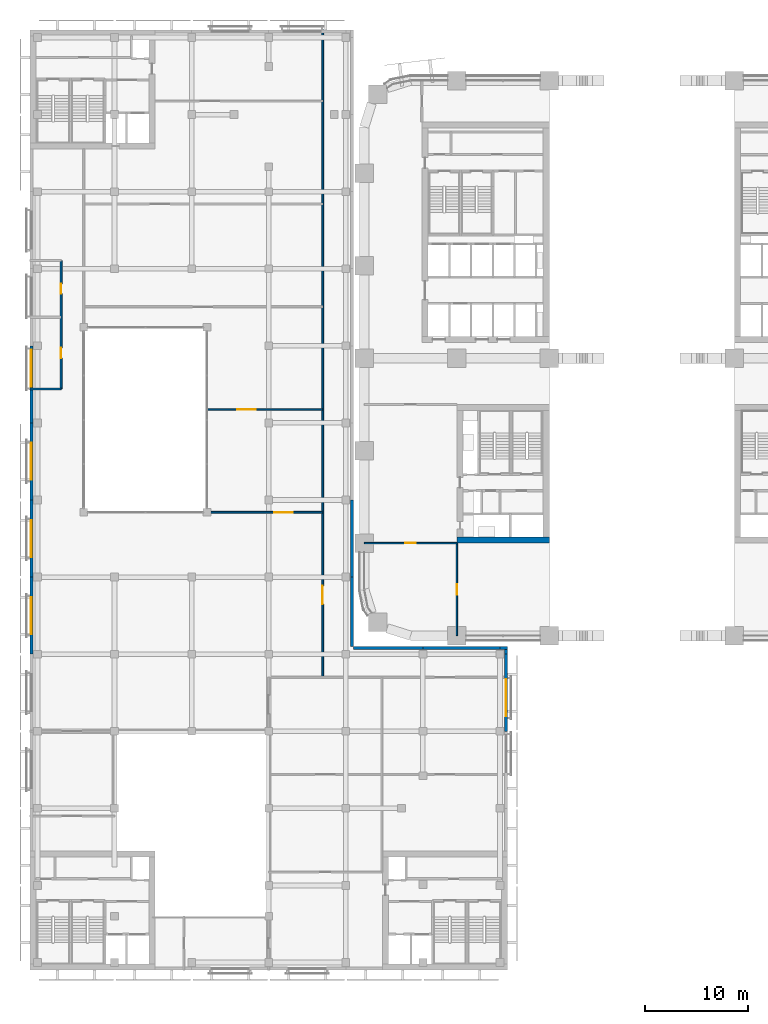
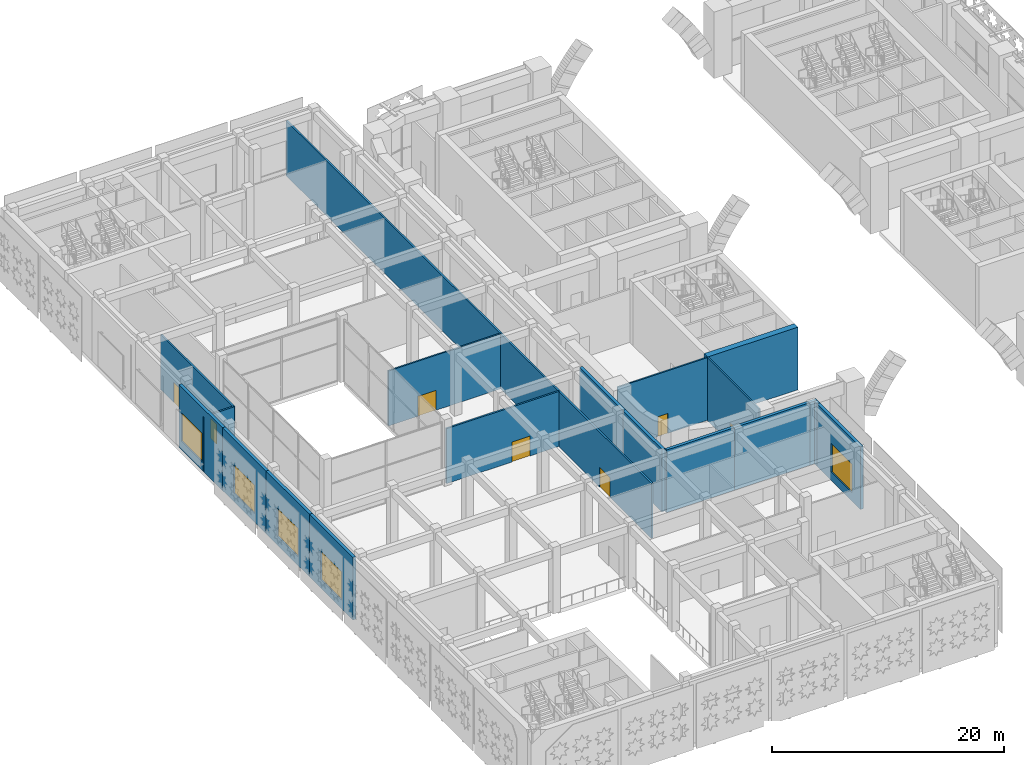
# One storey, part 17 of 42: 19 walls, 7 doors, 5 windows, 12 openings.
"""IFC4 building model written with IfcOpenShell, lengths in metres."""

from ifc_helpers import new_model, si_unit, direction, frame, frame_2d, origin, place, context, subcontext, project, spatial, rectangle, extrude, material, layer, layer_set, type_object, element, fill, save


model = new_model("IFC4")

# Units and contexts
model_context = context("Model", 3, precision=1e-05, world=origin(), true_north=direction((0.0, 1.0)))
body_context = subcontext(model_context, "Body", "Model", "MODEL_VIEW")
ifc_project = project(units=[si_unit("LENGTHUNIT", "METRE"), si_unit("AREAUNIT", "SQUARE_METRE"), si_unit("VOLUMEUNIT", "CUBIC_METRE"), si_unit("PLANEANGLEUNIT", "RADIAN"), si_unit("MASSUNIT", "GRAM", prefix="KILO")], contexts=[model_context])

# Site, building, storey
site_placement = place(None, origin())
site = spatial("IfcSite", under=ifc_project, at=site_placement, CompositionType="ELEMENT")
building_placement = place(site_placement, origin())
building = spatial("IfcBuilding", under=site, at=building_placement, Name="Tessera Arch", CompositionType="ELEMENT")
storey_placement = place(building_placement, frame((0.0, 0.0, 14.0)))
storey = spatial("IfcBuildingStorey", under=building, at=storey_placement, Name="L02", CompositionType="ELEMENT", Elevation=14.0)

# Wall
ifc_material_1 = material(Name="Concrete C70/85", Category="concrete")
ifc_layer_1 = layer(ifc_material_1, 0.60009765625)
ifc_layer_set_1 = layer_set([ifc_layer_1], Name="Core shell wall 600 C70-85")
wall_type_1 = type_object("IfcWallType", Name="Core shell wall 600 C70-85", PredefinedType="SHEAR", material=ifc_layer_set_1)
wall_1_placement = place(storey_placement, frame((9.0, 9.300048828125, 0.0), z_axis=(0.0, 0.0, 1.0), x_axis=(1.0, 0.0, 0.0)))
element("IfcWall", 1, at=wall_1_placement, inside=storey, type_object=wall_type_1, Name="L02 C4 core wall S", PredefinedType="SHEAR", context=body_context, shape_type="SweptSolid", body=[
    extrude(rectangle(XDim=9.0, YDim=0.60009765625, at=frame_2d((4.5, 0.0))), origin(), (0.0, 0.0, 1.0), 6.590087890625),
])

# Wall, opening, door
ifc_material_2 = material(Name="Gypsum board on deep steel stud with mineral wool", Category="steel")
ifc_layer_2 = layer(ifc_material_2, 0.175048828125)
ifc_layer_set_2 = layer_set([ifc_layer_2], Name="Corridor wall 175 EI 60")
wall_type_2 = type_object("IfcWallType", Name="Corridor wall 175 EI 60", PredefinedType="PARTITIONING", material=ifc_layer_set_2)
wall_2_placement = place(storey_placement, frame((-15.300048828125, 12.0, 0.0), z_axis=(0.0, 0.0, 1.0), x_axis=(1.0, 0.0, 0.0)))
wall_2 = element("IfcWall", 2, at=wall_2_placement, inside=storey, type_object=wall_type_2, Name="L02 partition 3", PredefinedType="PARTITIONING", context=body_context, shape_type="SweptSolid", body=[
    extrude(rectangle(XDim=11.25, YDim=0.175048828125, at=frame_2d((5.625, 0.0))), origin(), (0.0, 0.0, 1.0), 5.7900390625),
])
opening_1_placement = place(wall_2_placement, frame((6.514892578125, 0.0, 0.0)))
opening_1 = element("IfcOpeningElement", 3, at=opening_1_placement, cuts=wall_2, Name="Opening L02-D009", PredefinedType="OPENING", context=body_context, shape_type="SweptSolid", body=[
    extrude(rectangle(XDim=1.800048828125, YDim=2.10009765625, at=frame_2d((0.89990234375, 1.050048828125))), frame((0.0, 0.097412109375, 0.0), z_axis=(0.0, -1.0, 0.0), x_axis=(1.0, 0.0, 0.0)), (0.0, 0.0, 1.0), 0.195068359375),
])
ifc_material_3 = material(Name="Timber door leaf", Category="wood")
door_type_1 = type_object("IfcDoorType", Name="Double door 1800 x 2100", OperationType="DOUBLE_DOOR_SINGLE_SWING", PredefinedType="DOOR", material=ifc_material_3)
door_1_placement = place(opening_1_placement, origin())
door_1 = element("IfcDoor", 4, at=door_1_placement, inside=storey, type_object=door_type_1, Name="L02 door D009 type D13", OperationType="DOUBLE_DOOR_SINGLE_SWING", OverallHeight=2.10009765625, OverallWidth=1.800048828125, PredefinedType="DOOR", context=body_context, shape_type="SweptSolid", body=[
    extrude(rectangle(XDim=1.800048828125, YDim=2.10009765625, at=frame_2d((0.89990234375, 1.050048828125))), frame((0.0, 0.02490234375, 0.0), z_axis=(0.0, -1.0, 0.0), x_axis=(1.0, 0.0, 0.0)), (0.0, 0.0, 1.0), 0.050048828125),
])
fill(opening_1, door_1)

# Wall
wall_3_placement = place(storey_placement, frame((-32.550048828125, 24.0, 0.0), z_axis=(0.0, 0.0, 1.0), x_axis=(1.0, 0.0, 0.0)))
element("IfcWall", 5, at=wall_3_placement, inside=storey, type_object=wall_type_2, Name="L02 partition 6", PredefinedType="PARTITIONING", context=body_context, shape_type="SweptSolid", body=[
    extrude(rectangle(XDim=3.050048828125, YDim=0.175048828125, at=frame_2d((1.52490234375, 0.0))), origin(), (0.0, 0.0, 1.0), 5.7900390625),
])

# Wall, openings, doors
wall_4_placement = place(storey_placement, frame((-29.5, 24.0, 0.0), z_axis=(0.0, 0.0, 1.0), x_axis=(0.0, 1.0, 0.0)))
wall_4 = element("IfcWall", 6, at=wall_4_placement, inside=storey, type_object=wall_type_2, Name="L02 partition 10", PredefinedType="PARTITIONING", context=body_context, shape_type="SweptSolid", body=[
    extrude(rectangle(XDim=12.5, YDim=0.175048828125, at=frame_2d((6.25, 0.0))), origin(), (0.0, 0.0, 1.0), 5.7900390625),
])
opening_2_placement = place(wall_4_placement, frame((3.0, 0.0, 0.0)))
opening_2 = element("IfcOpeningElement", 7, at=opening_2_placement, cuts=wall_4, Name="Opening L02-D020", PredefinedType="OPENING", context=body_context, shape_type="SweptSolid", body=[
    extrude(rectangle(XDim=1.0, YDim=2.10009765625, at=frame_2d((0.5, 1.050048828125))), frame((0.0, 0.097412109375, 0.0), z_axis=(0.0, -1.0, 0.0), x_axis=(1.0, 0.0, 0.0)), (0.0, 0.0, 1.0), 0.195068359375),
])
opening_3_placement = place(wall_4_placement, frame((9.25, 0.0, 0.0)))
opening_3 = element("IfcOpeningElement", 8, at=opening_3_placement, cuts=wall_4, Name="Opening L02-D021", PredefinedType="OPENING", context=body_context, shape_type="SweptSolid", body=[
    extrude(rectangle(XDim=1.0, YDim=2.10009765625, at=frame_2d((0.5, 1.050048828125))), frame((0.0, 0.097412109375, 0.0), z_axis=(0.0, -1.0, 0.0), x_axis=(1.0, 0.0, 0.0)), (0.0, 0.0, 1.0), 0.195068359375),
])
ifc_material_4 = material(Name="Fire-rated door leaf")
door_type_2 = type_object("IfcDoorType", Name="Entrance door FD30S 1000 x 2100", OperationType="SINGLE_SWING_LEFT", PredefinedType="DOOR", material=ifc_material_4)
door_2_placement = place(opening_2_placement, origin())
door_2 = element("IfcDoor", 9, at=door_2_placement, inside=storey, type_object=door_type_2, Name="L02 door D020 type D03", OperationType="SINGLE_SWING_RIGHT", OverallHeight=2.10009765625, OverallWidth=1.0, PredefinedType="DOOR", context=body_context, shape_type="SweptSolid", body=[
    extrude(rectangle(XDim=1.0, YDim=2.10009765625, at=frame_2d((0.5, 1.050048828125))), frame((0.0, 0.02490234375, 0.0), z_axis=(0.0, -1.0, 0.0), x_axis=(1.0, 0.0, 0.0)), (0.0, 0.0, 1.0), 0.050048828125),
])
fill(opening_2, door_2)
door_3_placement = place(opening_3_placement, origin())
door_3 = element("IfcDoor", 10, at=door_3_placement, inside=storey, type_object=door_type_2, Name="L02 door D021 type D03", OperationType="SINGLE_SWING_RIGHT", OverallHeight=2.10009765625, OverallWidth=1.0, PredefinedType="DOOR", context=body_context, shape_type="SweptSolid", body=[
    extrude(rectangle(XDim=1.0, YDim=2.10009765625, at=frame_2d((0.5, 1.050048828125))), frame((0.0, 0.02490234375, 0.0), z_axis=(0.0, -1.0, 0.0), x_axis=(1.0, 0.0, 0.0)), (0.0, 0.0, 1.0), 0.050048828125),
])
fill(opening_3, door_3)

# Wall, opening, door
wall_5_placement = place(storey_placement, frame((-4.050048828125, -4.050048828125, 0.0), z_axis=(0.0, 0.0, 1.0), x_axis=(0.0, 1.0, 0.0)))
wall_5 = element("IfcWall", 11, at=wall_5_placement, inside=storey, type_object=wall_type_2, Name="L02 partition 13", PredefinedType="PARTITIONING", context=body_context, shape_type="SweptSolid", body=[
    extrude(rectangle(XDim=63.0, YDim=0.175048828125, at=frame_2d((31.5, 0.0))), origin(), (0.0, 0.0, 1.0), 5.7900390625),
])
opening_4_placement = place(wall_5_placement, frame((7.125, 0.0, 0.0)))
opening_4 = element("IfcOpeningElement", 12, at=opening_4_placement, cuts=wall_5, Name="Opening L02-D002", PredefinedType="OPENING", context=body_context, shape_type="SweptSolid", body=[
    extrude(rectangle(XDim=1.800048828125, YDim=2.10009765625, at=frame_2d((0.89990234375, 1.050048828125))), frame((0.0, 0.097412109375, 0.0), z_axis=(0.0, -1.0, 0.0), x_axis=(1.0, 0.0, 0.0)), (0.0, 0.0, 1.0), 0.195068359375),
])
door_4_placement = place(opening_4_placement, origin())
door_4 = element("IfcDoor", 13, at=door_4_placement, inside=storey, type_object=door_type_1, Name="L02 door D002 type D13", OperationType="DOUBLE_DOOR_SINGLE_SWING", OverallHeight=2.10009765625, OverallWidth=1.800048828125, PredefinedType="DOOR", context=body_context, shape_type="SweptSolid", body=[
    extrude(rectangle(XDim=1.800048828125, YDim=2.10009765625, at=frame_2d((0.89990234375, 1.050048828125))), frame((0.0, 0.02490234375, 0.0), z_axis=(0.0, -1.0, 0.0), x_axis=(1.0, 0.0, 0.0)), (0.0, 0.0, 1.0), 0.050048828125),
])
fill(opening_4, door_4)

# Wall, opening, window
ifc_material_5 = material(Name="Aluminium cladding pale metal anodised", Category="aluminium")
ifc_layer_3 = layer(ifc_material_5, 0.300048828125)
ifc_layer_set_3 = layer_set([ifc_layer_3], Name="Museum envelope wall pale metal")
wall_type_3 = type_object("IfcWallType", Name="Museum envelope wall pale metal", PredefinedType="SOLIDWALL", material=ifc_layer_set_3)
wall_6_placement = place(storey_placement, frame((13.800048828125, -9.300048828125, 0.0), z_axis=(0.0, 0.0, 1.0), x_axis=(0.0, 1.0, 0.0)))
wall_6 = element("IfcWall", 14, at=wall_6_placement, inside=storey, type_object=wall_type_3, Name="Museum external wall pale metal mashrabiya pattern", PredefinedType="SOLIDWALL", context=body_context, shape_type="SweptSolid", body=[
    extrude(rectangle(XDim=7.5, YDim=0.300048828125, at=frame_2d((3.75, 0.0))), origin(), (0.0, 0.0, 1.0), 6.590087890625),
])
opening_5_placement = place(wall_6_placement, frame((1.449951171875, 0.0, 0.89990234375)))
opening_5 = element("IfcOpeningElement", 15, at=opening_5_placement, cuts=wall_6, Name="Opening L02-MV29", PredefinedType="OPENING", context=body_context, shape_type="SweptSolid", body=[
    extrude(rectangle(XDim=3.60009765625, YDim=3.0, at=frame_2d((1.800048828125, 1.5))), frame((0.0, 0.159912109375, 0.0), z_axis=(0.0, -1.0, 0.0), x_axis=(1.0, 0.0, 0.0)), (0.0, 0.0, 1.0), 0.320068359375),
])
ifc_material_6 = material(Name="Clear low-e glass in aluminium frame", Category="aluminium")
window_type = type_object("IfcWindowType", Name="Museum window fixed clear glass", PartitioningType="SINGLE_PANEL", PredefinedType="WINDOW", material=ifc_material_6)
window_1_placement = place(opening_5_placement, origin())
window_1 = element("IfcWindow", 16, at=window_1_placement, inside=storey, type_object=window_type, Name="Museum window L02 2-5", OverallHeight=3.0, OverallWidth=3.60009765625, PartitioningType="SINGLE_PANEL", PredefinedType="WINDOW", context=body_context, shape_type="SweptSolid", body=[
    extrude(rectangle(XDim=3.60009765625, YDim=3.0, at=frame_2d((1.800048828125, 1.5))), frame((0.0, 0.030029296875, 0.0), z_axis=(0.0, -1.0, 0.0), x_axis=(1.0, 0.0, 0.0)), (0.0, 0.0, 1.0), 0.06005859375),
])
fill(opening_5, window_1)

# Wall
wall_7_placement = place(storey_placement, frame((13.800048828125, -1.800048828125, 0.0), z_axis=(0.0, 0.0, 1.0), x_axis=(0.0, 1.0, 0.0)))
element("IfcWall", 17, at=wall_7_placement, inside=storey, type_object=wall_type_3, Name="Museum external wall pale metal mashrabiya pattern", PredefinedType="SOLIDWALL", context=body_context, shape_type="SweptSolid", body=[
    extrude(rectangle(XDim=0.449951171875, YDim=0.300048828125, at=frame_2d((0.22509765625, 0.0))), origin(), (0.0, 0.0, 1.0), 6.590087890625),
])

# Wall, opening, window
wall_8_placement = place(storey_placement, frame((-32.39990234375, 28.199951171875, 0.0), z_axis=(0.0, 0.0, 1.0), x_axis=(0.0, -1.0, 0.0)))
wall_8 = element("IfcWall", 18, at=wall_8_placement, inside=storey, type_object=wall_type_3, Name="Museum external wall pale metal mashrabiya pattern", PredefinedType="SOLIDWALL", context=body_context, shape_type="SweptSolid", body=[
    extrude(rectangle(XDim=7.5, YDim=0.300048828125, at=frame_2d((3.75, 0.0))), origin(), (0.0, 0.0, 1.0), 6.590087890625),
])
opening_6_placement = place(wall_8_placement, frame((0.39990234375, 0.0, 0.89990234375)))
opening_6 = element("IfcOpeningElement", 19, at=opening_6_placement, cuts=wall_8, Name="Opening L02-MV34", PredefinedType="OPENING", context=body_context, shape_type="SweptSolid", body=[
    extrude(rectangle(XDim=3.60009765625, YDim=3.0, at=frame_2d((1.800048828125, 1.5))), frame((0.0, 0.159912109375, 0.0), z_axis=(0.0, -1.0, 0.0), x_axis=(1.0, 0.0, 0.0)), (0.0, 0.0, 1.0), 0.320068359375),
])
window_2_placement = place(opening_6_placement, origin())
window_2 = element("IfcWindow", 20, at=window_2_placement, inside=storey, type_object=window_type, Name="Museum window L02 6-6", OverallHeight=3.0, OverallWidth=3.60009765625, PartitioningType="SINGLE_PANEL", PredefinedType="WINDOW", context=body_context, shape_type="SweptSolid", body=[
    extrude(rectangle(XDim=3.60009765625, YDim=3.0, at=frame_2d((1.800048828125, 1.5))), frame((0.0, 0.030029296875, 0.0), z_axis=(0.0, -1.0, 0.0), x_axis=(1.0, 0.0, 0.0)), (0.0, 0.0, 1.0), 0.06005859375),
])
fill(opening_6, window_2)

wall_9_placement = place(storey_placement, frame((-32.39990234375, 20.699951171875, 0.0), z_axis=(0.0, 0.0, 1.0), x_axis=(0.0, -1.0, 0.0)))
wall_9 = element("IfcWall", 21, at=wall_9_placement, inside=storey, type_object=wall_type_3, Name="Museum external wall pale metal mashrabiya pattern", PredefinedType="SOLIDWALL", context=body_context, shape_type="SweptSolid", body=[
    extrude(rectangle(XDim=7.5, YDim=0.300048828125, at=frame_2d((3.75, 0.0))), origin(), (0.0, 0.0, 1.0), 6.590087890625),
])
opening_7_placement = place(wall_9_placement, frame((1.949951171875, 0.0, 0.89990234375)))
opening_7 = element("IfcOpeningElement", 22, at=opening_7_placement, cuts=wall_9, Name="Opening L02-MV35", PredefinedType="OPENING", context=body_context, shape_type="SweptSolid", body=[
    extrude(rectangle(XDim=3.60009765625, YDim=3.0, at=frame_2d((1.800048828125, 1.5))), frame((0.0, 0.159912109375, 0.0), z_axis=(0.0, -1.0, 0.0), x_axis=(1.0, 0.0, 0.0)), (0.0, 0.0, 1.0), 0.320068359375),
])
window_3_placement = place(opening_7_placement, origin())
window_3 = element("IfcWindow", 23, at=window_3_placement, inside=storey, type_object=window_type, Name="Museum window L02 6-7", OverallHeight=3.0, OverallWidth=3.60009765625, PartitioningType="SINGLE_PANEL", PredefinedType="WINDOW", context=body_context, shape_type="SweptSolid", body=[
    extrude(rectangle(XDim=3.60009765625, YDim=3.0, at=frame_2d((1.800048828125, 1.5))), frame((0.0, 0.030029296875, 0.0), z_axis=(0.0, -1.0, 0.0), x_axis=(1.0, 0.0, 0.0)), (0.0, 0.0, 1.0), 0.06005859375),
])
fill(opening_7, window_3)

wall_10_placement = place(storey_placement, frame((-32.39990234375, 13.199951171875, 0.0), z_axis=(0.0, 0.0, 1.0), x_axis=(0.0, -1.0, 0.0)))
wall_10 = element("IfcWall", 24, at=wall_10_placement, inside=storey, type_object=wall_type_3, Name="Museum external wall pale metal mashrabiya pattern", PredefinedType="SOLIDWALL", context=body_context, shape_type="SweptSolid", body=[
    extrude(rectangle(XDim=7.5, YDim=0.300048828125, at=frame_2d((3.75, 0.0))), origin(), (0.0, 0.0, 1.0), 6.590087890625),
])
opening_8_placement = place(wall_10_placement, frame((1.949951171875, 0.0, 0.89990234375)))
opening_8 = element("IfcOpeningElement", 25, at=opening_8_placement, cuts=wall_10, Name="Opening L02-MV36", PredefinedType="OPENING", context=body_context, shape_type="SweptSolid", body=[
    extrude(rectangle(XDim=3.60009765625, YDim=3.0, at=frame_2d((1.800048828125, 1.5))), frame((0.0, 0.159912109375, 0.0), z_axis=(0.0, -1.0, 0.0), x_axis=(1.0, 0.0, 0.0)), (0.0, 0.0, 1.0), 0.320068359375),
])
window_4_placement = place(opening_8_placement, origin())
window_4 = element("IfcWindow", 26, at=window_4_placement, inside=storey, type_object=window_type, Name="Museum window L02 6-8", OverallHeight=3.0, OverallWidth=3.60009765625, PartitioningType="SINGLE_PANEL", PredefinedType="WINDOW", context=body_context, shape_type="SweptSolid", body=[
    extrude(rectangle(XDim=3.60009765625, YDim=3.0, at=frame_2d((1.800048828125, 1.5))), frame((0.0, 0.030029296875, 0.0), z_axis=(0.0, -1.0, 0.0), x_axis=(1.0, 0.0, 0.0)), (0.0, 0.0, 1.0), 0.06005859375),
])
fill(opening_8, window_4)

wall_11_placement = place(storey_placement, frame((-32.39990234375, 5.699951171875, 0.0), z_axis=(0.0, 0.0, 1.0), x_axis=(0.0, -1.0, 0.0)))
wall_11 = element("IfcWall", 27, at=wall_11_placement, inside=storey, type_object=wall_type_3, Name="Museum external wall pale metal mashrabiya pattern", PredefinedType="SOLIDWALL", context=body_context, shape_type="SweptSolid", body=[
    extrude(rectangle(XDim=7.5, YDim=0.300048828125, at=frame_2d((3.75, 0.0))), origin(), (0.0, 0.0, 1.0), 6.590087890625),
])
opening_9_placement = place(wall_11_placement, frame((1.949951171875, 0.0, 0.89990234375)))
opening_9 = element("IfcOpeningElement", 28, at=opening_9_placement, cuts=wall_11, Name="Opening L02-MV37", PredefinedType="OPENING", context=body_context, shape_type="SweptSolid", body=[
    extrude(rectangle(XDim=3.60009765625, YDim=3.0, at=frame_2d((1.800048828125, 1.5))), frame((0.0, 0.159912109375, 0.0), z_axis=(0.0, -1.0, 0.0), x_axis=(1.0, 0.0, 0.0)), (0.0, 0.0, 1.0), 0.320068359375),
])
window_5_placement = place(opening_9_placement, origin())
window_5 = element("IfcWindow", 29, at=window_5_placement, inside=storey, type_object=window_type, Name="Museum window L02 6-9", OverallHeight=3.0, OverallWidth=3.60009765625, PartitioningType="SINGLE_PANEL", PredefinedType="WINDOW", context=body_context, shape_type="SweptSolid", body=[
    extrude(rectangle(XDim=3.60009765625, YDim=3.0, at=frame_2d((1.800048828125, 1.5))), frame((0.0, 0.030029296875, 0.0), z_axis=(0.0, -1.0, 0.0), x_axis=(1.0, 0.0, 0.0)), (0.0, 0.0, 1.0), 0.06005859375),
])
fill(opening_9, window_5)

# Walls
ifc_material_7 = material(Name="Concrete C40/50", Category="concrete")
ifc_layer_4 = layer(ifc_material_7, 0.300048828125)
ifc_layer_set_4 = layer_set([ifc_layer_4], Name="Museum fire wall")
wall_type_4 = type_object("IfcWallType", Name="Museum fire wall", PredefinedType="SOLIDWALL", material=ifc_layer_set_4)
wall_12_placement = place(storey_placement, frame((13.949951171875, -1.199951171875, 0.0), z_axis=(0.0, 0.0, 1.0), x_axis=(-1.0, 0.0, 0.0)))
element("IfcWall", 30, at=wall_12_placement, inside=storey, type_object=wall_type_4, Name="Museum fire wall at the movement joint", PredefinedType="SOLIDWALL", context=body_context, shape_type="SweptSolid", body=[
    extrude(rectangle(XDim=0.75, YDim=0.300048828125, at=frame_2d((0.375, 0.0))), origin(), (0.0, 0.0, 1.0), 6.590087890625),
])
wall_13_placement = place(storey_placement, frame((13.199951171875, -1.199951171875, 0.0), z_axis=(0.0, 0.0, 1.0), x_axis=(-1.0, 0.0, 0.0)))
element("IfcWall", 31, at=wall_13_placement, inside=storey, type_object=wall_type_4, Name="Museum fire wall at the movement joint", PredefinedType="SOLIDWALL", context=body_context, shape_type="SweptSolid", body=[
    extrude(rectangle(XDim=7.5, YDim=0.300048828125, at=frame_2d((3.75, 0.0))), origin(), (0.0, 0.0, 1.0), 6.590087890625),
])
for number, where, z_axis, x_axis, name in (
    (32, (5.699951171875, -1.199951171875, 0.0), (0.0, 0.0, 1.0), (-1.0, 0.0, 0.0), "Museum fire wall at the movement joint"),
    (33, (-1.199951171875, -1.050048828125, 0.0), (0.0, 0.0, 1.0), (0.0, 1.0, 0.0), "Museum fire wall at the movement joint"),
):
    element("IfcWall", number, at=place(storey_placement, frame(where, z_axis=z_axis, x_axis=x_axis)), inside=storey, type_object=wall_type_4, Name=name, PredefinedType="SOLIDWALL", context=body_context, shape_type="SweptSolid", body=[
        extrude(rectangle(XDim=6.75, YDim=0.300048828125, at=frame_2d((3.375, 0.0))), origin(), (0.0, 0.0, 1.0), 6.590087890625),
    ])
wall_14_placement = place(storey_placement, frame((-1.199951171875, 5.699951171875, 0.0), z_axis=(0.0, 0.0, 1.0), x_axis=(0.0, 1.0, 0.0)))
element("IfcWall", 34, at=wall_14_placement, inside=storey, type_object=wall_type_4, Name="Museum fire wall at the movement joint", PredefinedType="SOLIDWALL", context=body_context, shape_type="SweptSolid", body=[
    extrude(rectangle(XDim=7.5, YDim=0.300048828125, at=frame_2d((3.75, 0.0))), origin(), (0.0, 0.0, 1.0), 6.590087890625),
])

# Wall, opening, door
ifc_material_8 = material(Name="Gypsum board on steel stud", Category="steel")
ifc_layer_5 = layer(ifc_material_8, 0.14990234375)
ifc_layer_set_5 = layer_set([ifc_layer_5], Name="Partition 150")
wall_type_5 = type_object("IfcWallType", Name="Partition 150", PredefinedType="PARTITIONING", material=ifc_layer_set_5)
wall_15_placement = place(storey_placement, frame((-15.300048828125, 22.0, 0.0), z_axis=(0.0, 0.0, 1.0), x_axis=(1.0, 0.0, 0.0)))
wall_15 = element("IfcWall", 35, at=wall_15_placement, inside=storey, type_object=wall_type_5, Name="L02 partition 19", PredefinedType="PARTITIONING", context=body_context, shape_type="SweptSolid", body=[
    extrude(rectangle(XDim=11.25, YDim=0.14990234375, at=frame_2d((5.625, 0.0))), origin(), (0.0, 0.0, 1.0), 5.7900390625),
])
opening_10_placement = place(wall_15_placement, frame((2.93505859375, 0.0, 0.0)))
opening_10 = element("IfcOpeningElement", 36, at=opening_10_placement, cuts=wall_15, Name="Opening L02-D008", PredefinedType="OPENING", context=body_context, shape_type="SweptSolid", body=[
    extrude(rectangle(XDim=1.800048828125, YDim=2.10009765625, at=frame_2d((0.89990234375, 1.050048828125))), frame((0.0, 0.0849609375, 0.0), z_axis=(0.0, -1.0, 0.0), x_axis=(1.0, 0.0, 0.0)), (0.0, 0.0, 1.0), 0.169921875),
])
door_5_placement = place(opening_10_placement, origin())
door_5 = element("IfcDoor", 37, at=door_5_placement, inside=storey, type_object=door_type_1, Name="L02 door D008 type D13", OperationType="DOUBLE_DOOR_SINGLE_SWING", OverallHeight=2.10009765625, OverallWidth=1.800048828125, PredefinedType="DOOR", context=body_context, shape_type="SweptSolid", body=[
    extrude(rectangle(XDim=1.800048828125, YDim=2.10009765625, at=frame_2d((0.89990234375, 1.050048828125))), frame((0.0, 0.02490234375, 0.0), z_axis=(0.0, -1.0, 0.0), x_axis=(1.0, 0.0, 0.0)), (0.0, 0.0, 1.0), 0.050048828125),
])
fill(opening_10, door_5)

ifc_material_9 = material(Name="Gypsum board on steel stud", Category="steel")
ifc_layer_6 = layer(ifc_material_9, 0.14990234375)
ifc_layer_set_6 = layer_set([ifc_layer_6], Name="Partition 150 EI 30")
wall_type_6 = type_object("IfcWallType", Name="Partition 150 EI 30", PredefinedType="PARTITIONING", material=ifc_layer_set_6)
wall_16_placement = place(storey_placement, frame((0.0, 9.0, 0.0), z_axis=(0.0, 0.0, 1.0), x_axis=(1.0, 0.0, 0.0)))
wall_16 = element("IfcWall", 38, at=wall_16_placement, inside=storey, type_object=wall_type_6, Name="L02 partition 25", PredefinedType="PARTITIONING", context=body_context, shape_type="SweptSolid", body=[
    extrude(rectangle(XDim=9.0, YDim=0.14990234375, at=frame_2d((4.5, 0.0))), origin(), (0.0, 0.0, 1.0), 6.590087890625),
])
opening_11_placement = place(wall_16_placement, frame((4.0, 0.0, 0.0)))
opening_11 = element("IfcOpeningElement", 39, at=opening_11_placement, cuts=wall_16, Name="Opening L02-D025", PredefinedType="OPENING", context=body_context, shape_type="SweptSolid", body=[
    extrude(rectangle(XDim=1.0, YDim=2.10009765625, at=frame_2d((0.5, 1.050048828125))), frame((0.0, 0.0849609375, 0.0), z_axis=(0.0, -1.0, 0.0), x_axis=(1.0, 0.0, 0.0)), (0.0, 0.0, 1.0), 0.169921875),
])
door_6_placement = place(opening_11_placement, origin())
door_6 = element("IfcDoor", 40, at=door_6_placement, inside=storey, type_object=door_type_2, Name="L02 door D025 type D03", OperationType="SINGLE_SWING_LEFT", OverallHeight=2.10009765625, OverallWidth=1.0, PredefinedType="DOOR", context=body_context, shape_type="SweptSolid", body=[
    extrude(rectangle(XDim=1.0, YDim=2.10009765625, at=frame_2d((0.5, 1.050048828125))), frame((0.0, 0.02490234375, 0.0), z_axis=(0.0, -1.0, 0.0), x_axis=(1.0, 0.0, 0.0)), (0.0, 0.0, 1.0), 0.050048828125),
])
fill(opening_11, door_6)

wall_17_placement = place(storey_placement, frame((9.0, 0.0, 0.0), z_axis=(0.0, 0.0, 1.0), x_axis=(0.0, 1.0, 0.0)))
wall_17 = element("IfcWall", 41, at=wall_17_placement, inside=storey, type_object=wall_type_6, Name="L02 partition 28", PredefinedType="PARTITIONING", context=body_context, shape_type="SweptSolid", body=[
    extrude(rectangle(XDim=9.0, YDim=0.14990234375, at=frame_2d((4.5, 0.0))), origin(), (0.0, 0.0, 1.0), 6.590087890625),
])
opening_12_placement = place(wall_17_placement, frame((4.0, 0.0, 0.0)))
opening_12 = element("IfcOpeningElement", 42, at=opening_12_placement, cuts=wall_17, Name="Opening L02-D026", PredefinedType="OPENING", context=body_context, shape_type="SweptSolid", body=[
    extrude(rectangle(XDim=1.0, YDim=2.10009765625, at=frame_2d((0.5, 1.050048828125))), frame((0.0, 0.0849609375, 0.0), z_axis=(0.0, -1.0, 0.0), x_axis=(1.0, 0.0, 0.0)), (0.0, 0.0, 1.0), 0.169921875),
])
door_7_placement = place(opening_12_placement, origin())
door_7 = element("IfcDoor", 43, at=door_7_placement, inside=storey, type_object=door_type_2, Name="L02 door D026 type D03", OperationType="SINGLE_SWING_LEFT", OverallHeight=2.10009765625, OverallWidth=1.0, PredefinedType="DOOR", context=body_context, shape_type="SweptSolid", body=[
    extrude(rectangle(XDim=1.0, YDim=2.10009765625, at=frame_2d((0.5, 1.050048828125))), frame((0.0, 0.02490234375, 0.0), z_axis=(0.0, -1.0, 0.0), x_axis=(1.0, 0.0, 0.0)), (0.0, 0.0, 1.0), 0.050048828125),
])
fill(opening_12, door_7)

save(model, "model.ifc")
